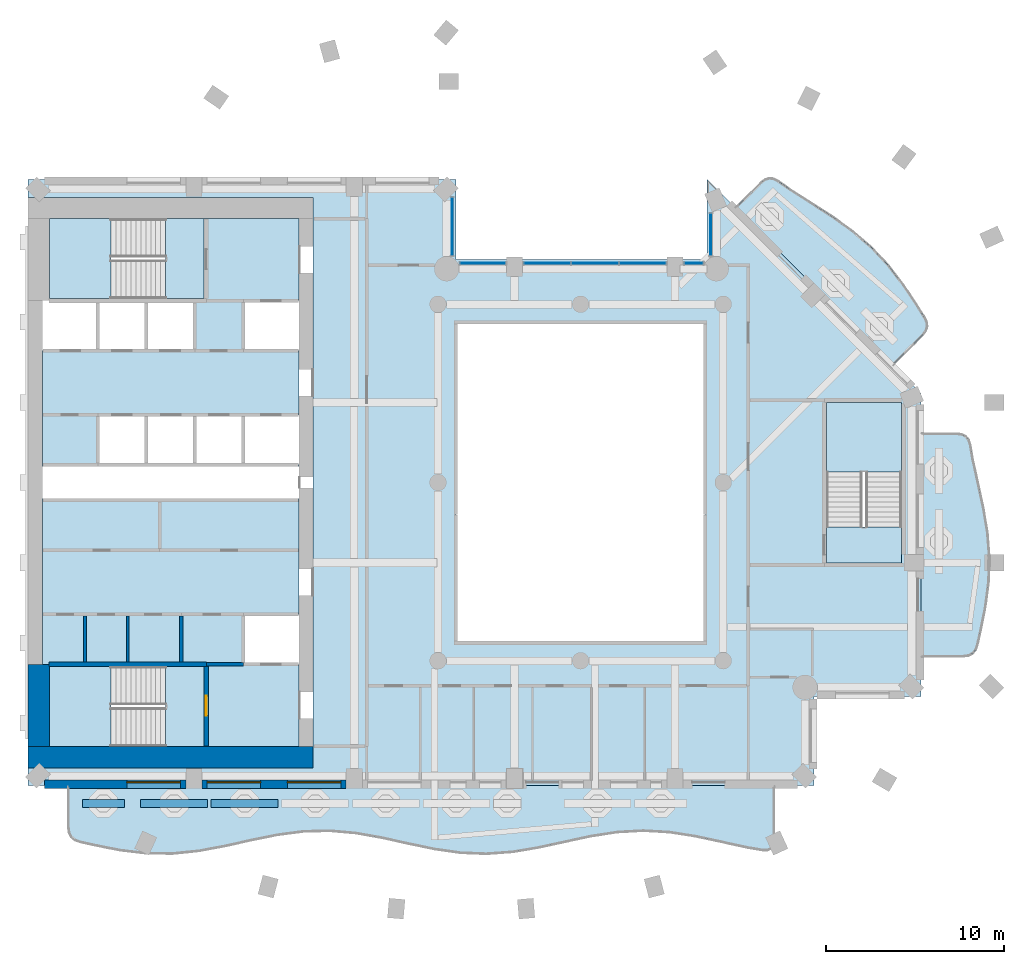
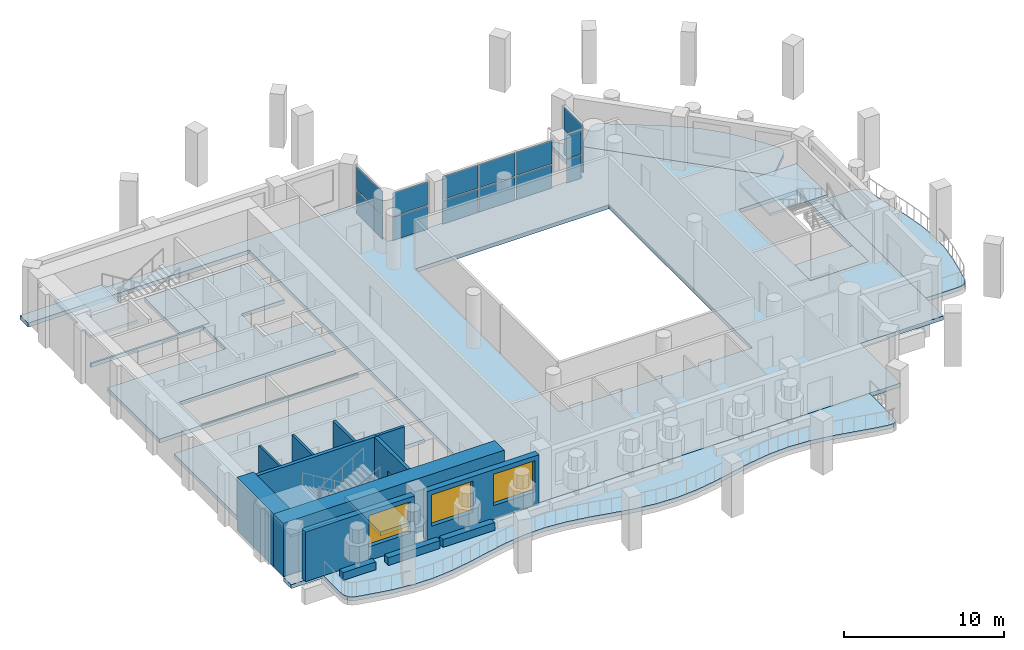
# One storey, part 3 of 15: 14 plates, 13 walls, 12 slabs, 3 windows, 1 door, 4 openings, 8 elements without a shape of their own.
"""IFC4 building model written with IfcOpenShell, lengths in metres."""

import ifcopenshell
import ifcopenshell.guid

model = None  # the IFC model being written
_history = None  # IfcOwnerHistory: only IFC2X3 demands one
_inside = {}  # id of a spatial element -> (the spatial element, [elements in it])
_under = {}  # id of a project, library or spatial element -> (it, [spatial elements below it])
_declared = {}  # id of a project -> (the project, [libraries it declares])
_typed = {}  # id of a type object -> (the type object, [elements of that type])
_made_of = {}  # id of a material, layer set ... -> (it, [elements and type objects made of it])


def new_model(schema):
    """Start an empty IFC model of exactly this schema.

    Asked for "IFC4X3", IfcOpenShell would pick the latest addendum, in which some entities
    have other attributes; the version numbers below select the first issue.
    IFC2X3 requires an IfcOwnerHistory on every rooted entity: one is made here for all.
    """
    global model, _history
    if schema == "IFC4X3":
        model = ifcopenshell.file(schema_version=(4, 3, 0, 0))
    else:
        model = ifcopenshell.file(schema=schema)
    _inside.clear()
    _under.clear()
    _declared.clear()
    _typed.clear()
    _made_of.clear()
    _history = None
    if model.schema == "IFC2X3":
        org = make("IfcOrganization", Name="unknown")
        user = make(
            "IfcPersonAndOrganization",
            ThePerson=make("IfcPerson", FamilyName="unknown"),
            TheOrganization=org,
        )
        app = make(
            "IfcApplication",
            ApplicationDeveloper=org,
            Version="unknown",
            ApplicationFullName="unknown",
            ApplicationIdentifier="unknown",
        )
        _history = make(
            "IfcOwnerHistory",
            OwningUser=user,
            OwningApplication=app,
            ChangeAction="ADDED",
            CreationDate=0,
        )
    return model


def make(cls, **values):
    """One entity of the class cls with the attributes given. An attribute that is None is left unset."""
    return model.create_entity(
        cls, **{name: value for name, value in values.items() if value is not None}
    )


def rooted(cls, **values):
    """An entity with a GlobalId (a new one), such as an element, a storey or a relation."""
    return make(cls, GlobalId=ifcopenshell.guid.new(), OwnerHistory=_history, **values)


def si_unit(unit_type, name, prefix=None):
    """IfcSIUnit, for example si_unit("LENGTHUNIT", "METRE", prefix="MILLI")."""
    return make("IfcSIUnit", UnitType=unit_type, Prefix=prefix, Name=name)


def assignment(units):
    """IfcUnitAssignment: the units of a project."""
    return None if units is None else make("IfcUnitAssignment", Units=units)


def point(xyz):
    """IfcCartesianPoint."""
    return None if xyz is None else make("IfcCartesianPoint", Coordinates=xyz)


def direction(xyz):
    """IfcDirection."""
    return None if xyz is None else make("IfcDirection", DirectionRatios=xyz)


def frame(location, z_axis=None, x_axis=None):
    """IfcAxis2Placement3D, a coordinate frame: its origin and axes. An axis left out is left unset."""
    return make(
        "IfcAxis2Placement3D",
        Location=point(location),
        Axis=direction(z_axis),
        RefDirection=direction(x_axis),
    )


def frame_2d(location, x_axis=None):
    """IfcAxis2Placement2D, a coordinate frame in the plane: its origin and x axis."""
    return make(
        "IfcAxis2Placement2D", Location=point(location), RefDirection=direction(x_axis)
    )


def origin():
    """The frame at (0, 0, 0) with its axes left unset."""
    return frame((0.0, 0.0, 0.0))


def origin_2d():
    """The frame at (0, 0) in the plane with its x axis left unset."""
    return frame_2d((0.0, 0.0))


def place(relative_to, where):
    """IfcLocalPlacement: puts the frame where relative to a parent placement (None: the world)."""
    return make(
        "IfcLocalPlacement", PlacementRelTo=relative_to, RelativePlacement=where
    )


def context(
    kind, dimensions, precision=None, world=None, true_north=None, identifier=None
):
    """IfcGeometricRepresentationContext, for example the 3D "Model" context."""
    return make(
        "IfcGeometricRepresentationContext",
        ContextIdentifier=identifier,
        ContextType=kind,
        CoordinateSpaceDimension=dimensions,
        Precision=precision,
        WorldCoordinateSystem=world,
        TrueNorth=true_north,
    )


def subcontext(parent, identifier, kind, view, scale=None):
    """IfcGeometricRepresentationSubContext, for example "Body" below "Model"."""
    return make(
        "IfcGeometricRepresentationSubContext",
        ContextIdentifier=identifier,
        ContextType=kind,
        ParentContext=parent,
        TargetScale=scale,
        TargetView=view,
    )


def project(units=None, contexts=None):
    """IfcProject with its units and contexts."""
    return rooted(
        "IfcProject",
        Name="project",
        RepresentationContexts=contexts,
        UnitsInContext=assignment(units),
    )


def spatial(cls, under=None, at=None, **own):
    """A site, building, storey or space (cls), placed at a placement, below another one or the project."""
    s = rooted(cls, ObjectPlacement=at, **own)
    if under is not None:
        _under.setdefault(under.id(), (under, []))[1].append(s)
    return s


def polyline(points):
    """IfcPolyline through the points."""
    return make("IfcPolyline", Points=[point(p) for p in points])


def profile(cls, at=None, kind="AREA", **sizes):
    """A parametric profile (cls). Its sizes go by their IFC names, for example OverallWidth=200.0."""
    return make(cls, ProfileType=kind, Position=at, **sizes)


def rectangle(**sizes):
    """IfcRectangleProfileDef."""
    return profile("IfcRectangleProfileDef", **sizes)


def outline(outer, holes=None, kind="AREA"):
    """IfcArbitraryClosedProfileDef: a profile drawn as a closed curve; with holes, ...WithVoids."""
    if holes is None:
        return make("IfcArbitraryClosedProfileDef", ProfileType=kind, OuterCurve=outer)
    return make(
        "IfcArbitraryProfileDefWithVoids",
        ProfileType=kind,
        OuterCurve=outer,
        InnerCurves=holes,
    )


def extrude(swept, where, along, depth):
    """IfcExtrudedAreaSolid: the profile swept, set in the frame where, extruded along a direction by depth."""
    return make(
        "IfcExtrudedAreaSolid",
        SweptArea=swept,
        Position=where,
        ExtrudedDirection=direction(along),
        Depth=depth,
    )


def shape(context_of_items, identifier, shape_type, items):
    """IfcShapeRepresentation: the items that make up one representation, for example the "Body"."""
    return make(
        "IfcShapeRepresentation",
        ContextOfItems=context_of_items,
        RepresentationIdentifier=identifier,
        RepresentationType=shape_type,
        Items=items,
    )


def material(Name=None, Category=None):
    """IfcMaterial."""
    return make("IfcMaterial", Name=Name, Category=Category)


def layer(
    of_material, thickness, ventilated=None, Name=None, Category=None, Priority=None
):
    """IfcMaterialLayer: one layer of a wall or slab, of a material (None: an air gap)."""
    return make(
        "IfcMaterialLayer",
        Material=of_material,
        LayerThickness=thickness,
        IsVentilated=ventilated,
        Name=Name,
        Category=Category,
        Priority=Priority,
    )


def layer_set(layers, Name=None):
    """IfcMaterialLayerSet."""
    return make("IfcMaterialLayerSet", MaterialLayers=layers, LayerSetName=Name)


def made_of(thing, what):
    """Note that an element or type object is made of a material, layer set ...; save() writes the relation."""
    if what is not None:
        _made_of.setdefault(what.id(), (what, []))[1].append(thing)
    return thing


def type_object(cls, material=None, **own):
    """A type object (cls), such as IfcWallType, which elements share."""
    return made_of(rooted(cls, **own), material)


def element(
    cls,
    number,
    at=None,
    inside=None,
    cuts=None,
    type_object=None,
    material=None,
    context=None,
    identifier="Body",
    shape_type=None,
    held_by="IfcProductDefinitionShape",
    body=None,
    shapes=None,
    **own,
):
    """One element of the class cls, such as IfcWall. Its Tag is "e" and its number.

    at: its placement. inside: the storey or other place that contains it. cuts: it is an
    opening in that element (IfcRelVoidsElement). A single representation is given by context,
    identifier, shape_type and body (its items); several are given by shapes. held_by: the class
    of the entity that holds the representations. save() writes the other relations.
    """
    e = rooted(cls, Tag="e%d" % number, ObjectPlacement=at, **own)
    if body is not None:
        shapes = [shape(context, identifier, shape_type, body)]
    if shapes is not None:
        e.Representation = make(held_by, Representations=shapes)
    if inside is not None:
        _inside.setdefault(inside.id(), (inside, []))[1].append(e)
    if cuts is not None:
        rooted(
            "IfcRelVoidsElement", RelatingBuildingElement=cuts, RelatedOpeningElement=e
        )
    if type_object is not None:
        _typed.setdefault(type_object.id(), (type_object, []))[1].append(e)
    return made_of(e, material)


def fill(opening, filler):
    """IfcRelFillsElement: the door or window that sits in an opening."""
    return rooted(
        "IfcRelFillsElement",
        RelatingOpeningElement=opening,
        RelatedBuildingElement=filler,
    )


def aggregate(whole, parts):
    """IfcRelAggregates: a whole, such as a stair, and the parts it consists of."""
    return rooted("IfcRelAggregates", RelatingObject=whole, RelatedObjects=parts)


def save(model, path):
    """Write the relations noted so far, then the file.

    IfcRelAggregates (storeys below a building ...), IfcRelContainedInSpatialStructure (elements
    in a storey), IfcRelDefinesByType, IfcRelAssociatesMaterial and IfcRelDeclares: one each for
    every whole, place, type object, material and project.
    """
    for whole, parts in _under.values():
        aggregate(whole, parts)
    for where, things in _inside.values():
        rooted(
            "IfcRelContainedInSpatialStructure",
            RelatedElements=things,
            RelatingStructure=where,
        )
    for kind, things in _typed.values():
        rooted("IfcRelDefinesByType", RelatedObjects=things, RelatingType=kind)
    for what, things in _made_of.values():
        rooted("IfcRelAssociatesMaterial", RelatedObjects=things, RelatingMaterial=what)
    for by, libraries in _declared.values():
        rooted("IfcRelDeclares", RelatingContext=by, RelatedDefinitions=libraries)
    model.write(path)


model = new_model("IFC4")

# Units and contexts
model_context = context("Model", 3, precision=1e-05, world=origin(), true_north=direction((0.0, 1.0)))
body_context = subcontext(model_context, "Body", "Model", "MODEL_VIEW")
ifc_project = project(units=[si_unit("LENGTHUNIT", "METRE"), si_unit("AREAUNIT", "SQUARE_METRE"), si_unit("VOLUMEUNIT", "CUBIC_METRE"), si_unit("PLANEANGLEUNIT", "RADIAN"), si_unit("MASSUNIT", "GRAM", prefix="KILO")], contexts=[model_context])

# Site, building, storey
site_placement = place(None, origin())
site = spatial("IfcSite", under=ifc_project, at=site_placement, CompositionType="ELEMENT")
building_placement = place(site_placement, origin())
building = spatial("IfcBuilding", under=site, at=building_placement, Name="Cypress Arch Tower", CompositionType="ELEMENT")
storey_placement = place(building_placement, frame((0.0, 0.0, 164.60009765625)))
storey = spatial("IfcBuildingStorey", under=building, at=storey_placement, Name="L35", CompositionType="ELEMENT", Elevation=164.60009765625)

# Slabs
ifc_material_1 = material(Name="Concrete C40/50", Category="concrete")
ifc_layer_1 = layer(ifc_material_1, 0.300048828125)
ifc_layer_set_1 = layer_set([ifc_layer_1], Name="Balcony slab BS300")
slab_type_1 = type_object("IfcSlabType", Name="Balcony slab BS300", PredefinedType="USERDEFINED", material=ifc_layer_set_1)
slab_1_placement = place(storey_placement, frame((0.0, 0.0, -0.300048828125)))
element("IfcSlab", 1, at=slab_1_placement, inside=storey, type_object=slab_type_1, Name="Balcony slab L35-B01", ObjectType="BALCONY SLAB", PredefinedType="USERDEFINED", context=body_context, shape_type="SweptSolid", body=[
    extrude(outline(polyline([(-27.75, -17.0), (-27.75, -19.34033203125), (-27.708740234375, -19.6455078125), (-27.5849609375, -19.884765625), (-27.378662109375, -20.057861328125), (-27.090087890625, -20.164794921875), (-26.283447265625, -20.345947265625), (-24.816650390625, -20.6337890625), (-23.35009765625, -20.806640625), (-21.88330078125, -20.820068359375), (-20.416748046875, -20.670654296875), (-18.949951171875, -20.396484375), (-17.4833984375, -20.068359375), (-16.0166015625, -19.77001953125), (-14.550048828125, -19.578125), (-13.083251953125, -19.541748046875), (-11.61669921875, -19.67041015625), (-10.14990234375, -19.930908203125), (-8.683349609375, -20.256591796875), (-7.216552734375, -20.56396484375), (-5.75, -20.774169921875), (-4.283447265625, -20.8330078125), (-2.816650390625, -20.72607421875), (-1.35009765625, -20.47998046875), (0.11669921875, -20.158447265625), (1.583251953125, -19.84375), (3.050048828125, -19.616455078125), (4.5166015625, -19.534912109375), (5.9833984375, -19.6201171875), (7.449951171875, -19.85009765625), (8.916748046875, -20.166015625), (10.38330078125, -20.48681640625), (11.18994140625, -20.62060546875), (11.478759765625, -20.626708984375), (11.68505859375, -20.535400390625), (11.808837890625, -20.346923828125), (11.85009765625, -20.06103515625), (11.85009765625, -17.0), (-27.75, -17.0)])), origin(), (0.0, 0.0, 1.0), 0.300048828125),
])
slab_2_placement = place(storey_placement, frame((0.0, 0.0, -0.300048828125)))
element("IfcSlab", 2, at=slab_2_placement, inside=storey, type_object=slab_type_1, Name="Balcony slab L35-B04", ObjectType="BALCONY SLAB", PredefinedType="USERDEFINED", context=body_context, shape_type="SweptSolid", body=[
    extrude(outline(polyline([(20.10009765625, -9.75), (22.47607421875, -9.75), (22.76513671875, -9.7109375), (22.99169921875, -9.59375), (23.15576171875, -9.3984375), (23.257080078125, -9.125), (23.4287109375, -8.361083984375), (23.70751953125, -6.97216796875), (23.88916015625, -5.583251953125), (23.931396484375, -4.1943359375), (23.824462890625, -2.8056640625), (23.593505859375, -1.416748046875), (23.291259765625, -0.02783203125), (22.987548828125, 1.361083984375), (22.8583984375, 2.125), (22.7724609375, 2.3984375), (22.62060546875, 2.59375), (22.402587890625, 2.7109375), (22.11865234375, 2.75), (20.10009765625, 2.75), (20.10009765625, -9.75)])), origin(), (0.0, 0.0, 1.0), 0.300048828125),
])
slab_3_placement = place(storey_placement, frame((0.0, 0.0, -0.300048828125)))
element("IfcSlab", 3, at=slab_3_placement, inside=storey, type_object=slab_type_1, Name="Balcony slab L35-B05", ObjectType="BALCONY SLAB", PredefinedType="USERDEFINED", context=body_context, shape_type="SweptSolid", body=[
    extrude(outline(polyline([(18.509033203125, 6.591064453125), (20.190185546875, 8.272216796875), (20.36669921875, 8.503662109375), (20.44384765625, 8.74609375), (20.421630859375, 8.99951171875), (20.30029296875, 9.26416015625), (19.882568359375, 9.924072265625), (19.099609375, 11.100830078125), (18.248291015625, 12.208984375), (17.29931640625, 13.219482421875), (16.2451171875, 14.125), (15.103271484375, 14.942626953125), (13.910888671875, 15.709716796875), (12.71630859375, 16.474853515625), (12.08544921875, 16.921630859375), (11.831787109375, 17.0537109375), (11.586669921875, 17.084228515625), (11.35009765625, 17.012939453125), (11.1220703125, 16.840087890625), (9.69091796875, 15.408935546875), (18.509033203125, 6.591064453125)])), origin(), (0.0, 0.0, 1.0), 0.300048828125),
])
ifc_material_2 = material(Name="Concrete C40/50", Category="concrete")
ifc_layer_2 = layer(ifc_material_2, 0.300048828125)
ifc_layer_set_2 = layer_set([ifc_layer_2], Name="Core floor CF300")
slab_type_2 = type_object("IfcSlabType", Name="Core floor CF300", PredefinedType="FLOOR", material=ifc_layer_set_2)
slab_4_placement = place(storey_placement, frame((0.0, 0.0, -0.300048828125)))
element("IfcSlab", 4, at=slab_4_placement, inside=storey, type_object=slab_type_2, Name="Core floor", PredefinedType="FLOOR", context=body_context, shape_type="SweptSolid", body=[
    extrude(outline(polyline([(-28.800048828125, -10.199951171875), (-29.199951171875, -10.199951171875), (-29.199951171875, -0.89990234375), (-15.199951171875, -0.89990234375), (-14.800048828125, -0.89990234375), (-14.800048828125, -7.39990234375), (-15.199951171875, -7.39990234375), (-17.919921875, -7.39990234375), (-17.919921875, -10.199951171875), (-15.199951171875, -10.199951171875), (-14.800048828125, -10.199951171875), (-14.800048828125, -14.800048828125), (-15.199951171875, -14.800048828125), (-20.125, -14.800048828125), (-20.125, -10.324951171875), (-22.27490234375, -10.324951171875), (-28.800048828125, -10.324951171875), (-28.800048828125, -10.199951171875)])), origin(), (0.0, 0.0, 1.0), 0.300048828125),
])
slab_5_placement = place(storey_placement, frame((0.0, 0.0, -0.300048828125)))
element("IfcSlab", 5, at=slab_5_placement, inside=storey, type_object=slab_type_2, Name="Core floor", PredefinedType="FLOOR", context=body_context, shape_type="SweptSolid", body=[
    extrude(outline(polyline([(-22.27490234375, -10.324951171875), (-22.27490234375, -14.800048828125), (-20.125, -14.800048828125), (-20.125, -10.324951171875), (-22.27490234375, -10.324951171875)])), origin(), (0.0, 0.0, 1.0), 0.300048828125),
])
slab_6_placement = place(storey_placement, frame((0.0, 0.0, -0.300048828125)))
element("IfcSlab", 6, at=slab_6_placement, inside=storey, type_object=slab_type_2, Name="Core floor", PredefinedType="FLOOR", context=body_context, shape_type="SweptSolid", body=[
    extrude(outline(polyline([(-20.125, 14.800048828125), (-22.27490234375, 14.800048828125), (-22.27490234375, 10.324951171875), (-20.125, 10.324951171875), (-20.125, 14.800048828125)])), origin(), (0.0, 0.0, 1.0), 0.300048828125),
])
slab_7_placement = place(storey_placement, frame((0.0, 0.0, -0.300048828125)))
element("IfcSlab", 7, at=slab_7_placement, inside=storey, type_object=slab_type_2, Name="Stair floor landing", PredefinedType="FLOOR", context=body_context, shape_type="SweptSolid", body=[
    extrude(outline(polyline([(19.0, -4.5), (19.0, -2.5), (14.800048828125, -2.5), (14.800048828125, -4.5), (19.0, -4.5)])), origin(), (0.0, 0.0, 1.0), 0.300048828125),
])
slab_8_placement = place(storey_placement, frame((0.0, 0.0, -0.300048828125)))
element("IfcSlab", 8, at=slab_8_placement, inside=storey, type_object=slab_type_2, Name="Core floor", PredefinedType="FLOOR", context=body_context, shape_type="SweptSolid", body=[
    extrude(outline(polyline([(-20.639892578125, 7.39990234375), (-20.639892578125, 10.199951171875), (-23.360107421875, 10.199951171875), (-26.080078125, 10.199951171875), (-28.800048828125, 10.199951171875), (-28.800048828125, 10.324951171875), (-22.27490234375, 10.324951171875), (-20.125, 10.324951171875), (-20.125, 14.800048828125), (-15.199951171875, 14.800048828125), (-14.800048828125, 14.800048828125), (-14.800048828125, 10.199951171875), (-15.199951171875, 10.199951171875), (-17.919921875, 10.199951171875), (-17.919921875, 7.39990234375), (-15.199951171875, 7.39990234375), (-14.800048828125, 7.39990234375), (-14.800048828125, 3.800048828125), (-15.199951171875, 3.800048828125), (-17.919921875, 3.800048828125), (-20.639892578125, 3.800048828125), (-23.360107421875, 3.800048828125), (-26.080078125, 3.800048828125), (-26.080078125, 1.5), (-26.080078125, 1.5), (-26.080078125, 1.0), (-25.679931640625, 1.0), (-23.360107421875, 1.0), (-20.639892578125, 1.0), (-17.919921875, 1.0), (-15.199951171875, 1.0), (-14.800048828125, 1.0), (-14.800048828125, 0.89990234375), (-15.199951171875, 0.89990234375), (-25.679931640625, 0.89990234375), (-26.47998046875, 0.89990234375), (-29.199951171875, 0.89990234375), (-29.199951171875, 1.5), (-29.199951171875, 7.39990234375), (-26.080078125, 7.39990234375), (-23.360107421875, 7.39990234375), (-20.639892578125, 7.39990234375)])), origin(), (0.0, 0.0, 1.0), 0.300048828125),
])

# Curtain wall, plates
ifc_material_3 = material(Name="Anodised aluminium, bronze finish, clear laminated double glazing", Category="aluminium")
curtain_wall_type = type_object("IfcCurtainWallType", Name="Curtain wall CW7 slot glazing", PredefinedType="NOTDEFINED", material=ifc_material_3)
curtain_wall_1_placement = place(storey_placement, origin())
curtain_wall_1 = element("IfcCurtainWall", 9, at=curtain_wall_1_placement, inside=storey, type_object=curtain_wall_type, Name="Curtain wall L35 slot B06.0", PredefinedType="NOTDEFINED")
ifc_material_4 = material(Name="Clear laminated double glazing", Category="glass")
ifc_layer_3 = layer(ifc_material_4, 0.0439453125)
ifc_layer_set_3 = layer_set([ifc_layer_3], Name="Glass panel CW7 44")
plate_type = type_object("IfcPlateType", Name="Glass panel CW7 44", PredefinedType="CURTAIN_PANEL", material=ifc_layer_set_3)
plate_1_placement = place(storey_placement, frame((8.300048828125, 13.912353515625, 0.0849609375), z_axis=(0.0, 0.0, 1.0), x_axis=(0.0, -1.0, 0.0)))
plate_1 = element("IfcPlate", 10, at=plate_1_placement, type_object=plate_type, Name="CW7 panel 1.1", PredefinedType="CURTAIN_PANEL", context=body_context, shape_type="SweptSolid", body=[
    extrude(rectangle(XDim=2.345458984375, YDim=0.0439453125, at=origin_2d()), origin(), (0.0, 0.0, 1.0), 1.7724609375),
])
plate_2_placement = place(storey_placement, frame((8.300048828125, 13.912353515625, 1.9423828125), z_axis=(0.0, 0.0, 1.0), x_axis=(0.0, -1.0, 0.0)))
plate_2 = element("IfcPlate", 11, at=plate_2_placement, type_object=plate_type, Name="CW7 panel 1.2", PredefinedType="CURTAIN_PANEL", context=body_context, shape_type="SweptSolid", body=[
    extrude(rectangle(XDim=2.345458984375, YDim=0.0439453125, at=origin_2d()), origin(), (0.0, 0.0, 1.0), 1.7724609375),
])
aggregate(curtain_wall_1, [plate_1, plate_2])

curtain_wall_2_placement = place(storey_placement, origin())
curtain_wall_2 = element("IfcCurtainWall", 12, at=curtain_wall_2_placement, inside=storey, type_object=curtain_wall_type, Name="Curtain wall L35 slot B07.0", PredefinedType="NOTDEFINED")
plate_3_placement = place(storey_placement, frame((7.34765625, 12.300048828125, 0.0849609375), z_axis=(0.0, 0.0, 1.0), x_axis=(-1.0, 0.0, 0.0)))
plate_3 = element("IfcPlate", 13, at=plate_3_placement, type_object=plate_type, Name="CW7 panel 1.1", PredefinedType="CURTAIN_PANEL", context=body_context, shape_type="SweptSolid", body=[
    extrude(rectangle(XDim=1.025390625, YDim=0.0439453125, at=origin_2d()), origin(), (0.0, 0.0, 1.0), 1.7724609375),
])
plate_4_placement = place(storey_placement, frame((7.34765625, 12.300048828125, 1.9423828125), z_axis=(0.0, 0.0, 1.0), x_axis=(-1.0, 0.0, 0.0)))
plate_4 = element("IfcPlate", 14, at=plate_4_placement, type_object=plate_type, Name="CW7 panel 1.2", PredefinedType="CURTAIN_PANEL", context=body_context, shape_type="SweptSolid", body=[
    extrude(rectangle(XDim=1.025390625, YDim=0.0439453125, at=origin_2d()), origin(), (0.0, 0.0, 1.0), 1.7724609375),
])
aggregate(curtain_wall_2, [plate_3, plate_4])

curtain_wall_3_placement = place(storey_placement, origin())
curtain_wall_3 = element("IfcCurtainWall", 15, at=curtain_wall_3_placement, inside=storey, type_object=curtain_wall_type, Name="Curtain wall L35 slot B07.1", PredefinedType="NOTDEFINED")
plate_5_placement = place(storey_placement, frame((4.478759765625, 12.300048828125, 0.0849609375), z_axis=(0.0, 0.0, 1.0), x_axis=(-1.0, 0.0, 0.0)))
plate_5 = element("IfcPlate", 16, at=plate_5_placement, type_object=plate_type, Name="CW7 panel 1.1", PredefinedType="CURTAIN_PANEL", context=body_context, shape_type="SweptSolid", body=[
    extrude(rectangle(XDim=2.572509765625, YDim=0.0439453125, at=origin_2d()), origin(), (0.0, 0.0, 1.0), 1.7724609375),
])
plate_6_placement = place(storey_placement, frame((4.478759765625, 12.300048828125, 1.9423828125), z_axis=(0.0, 0.0, 1.0), x_axis=(-1.0, 0.0, 0.0)))
plate_6 = element("IfcPlate", 17, at=plate_6_placement, type_object=plate_type, Name="CW7 panel 1.2", PredefinedType="CURTAIN_PANEL", context=body_context, shape_type="SweptSolid", body=[
    extrude(rectangle(XDim=2.572509765625, YDim=0.0439453125, at=origin_2d()), origin(), (0.0, 0.0, 1.0), 1.7724609375),
])
plate_7_placement = place(storey_placement, frame((1.800048828125, 12.300048828125, 0.0849609375), z_axis=(0.0, 0.0, 1.0), x_axis=(-1.0, 0.0, 0.0)))
plate_7 = element("IfcPlate", 18, at=plate_7_placement, type_object=plate_type, Name="CW7 panel 2.1", PredefinedType="CURTAIN_PANEL", context=body_context, shape_type="SweptSolid", body=[
    extrude(rectangle(XDim=2.614990234375, YDim=0.0439453125, at=origin_2d()), origin(), (0.0, 0.0, 1.0), 1.7724609375),
])
plate_8_placement = place(storey_placement, frame((1.800048828125, 12.300048828125, 1.9423828125), z_axis=(0.0, 0.0, 1.0), x_axis=(-1.0, 0.0, 0.0)))
plate_8 = element("IfcPlate", 19, at=plate_8_placement, type_object=plate_type, Name="CW7 panel 2.2", PredefinedType="CURTAIN_PANEL", context=body_context, shape_type="SweptSolid", body=[
    extrude(rectangle(XDim=2.614990234375, YDim=0.0439453125, at=origin_2d()), origin(), (0.0, 0.0, 1.0), 1.7724609375),
])
plate_9_placement = place(storey_placement, frame((-0.878662109375, 12.300048828125, 0.0849609375), z_axis=(0.0, 0.0, 1.0), x_axis=(-1.0, 0.0, 0.0)))
plate_9 = element("IfcPlate", 20, at=plate_9_placement, type_object=plate_type, Name="CW7 panel 3.1", PredefinedType="CURTAIN_PANEL", context=body_context, shape_type="SweptSolid", body=[
    extrude(rectangle(XDim=2.572509765625, YDim=0.0439453125, at=origin_2d()), origin(), (0.0, 0.0, 1.0), 1.7724609375),
])
plate_10_placement = place(storey_placement, frame((-0.878662109375, 12.300048828125, 1.9423828125), z_axis=(0.0, 0.0, 1.0), x_axis=(-1.0, 0.0, 0.0)))
plate_10 = element("IfcPlate", 21, at=plate_10_placement, type_object=plate_type, Name="CW7 panel 3.2", PredefinedType="CURTAIN_PANEL", context=body_context, shape_type="SweptSolid", body=[
    extrude(rectangle(XDim=2.572509765625, YDim=0.0439453125, at=origin_2d()), origin(), (0.0, 0.0, 1.0), 1.7724609375),
])
aggregate(curtain_wall_3, [plate_5, plate_6, plate_7, plate_8, plate_9, plate_10])

curtain_wall_4_placement = place(storey_placement, origin())
curtain_wall_4 = element("IfcCurtainWall", 22, at=curtain_wall_4_placement, inside=storey, type_object=curtain_wall_type, Name="Curtain wall L35 slot B07.2", PredefinedType="NOTDEFINED")
plate_11_placement = place(storey_placement, frame((-4.497802734375, 12.300048828125, 0.0849609375), z_axis=(0.0, 0.0, 1.0), x_axis=(-1.0, 0.0, 0.0)))
plate_11 = element("IfcPlate", 23, at=plate_11_placement, type_object=plate_type, Name="CW7 panel 1.1", PredefinedType="CURTAIN_PANEL", context=body_context, shape_type="SweptSolid", body=[
    extrude(rectangle(XDim=2.525390625, YDim=0.0439453125, at=origin_2d()), origin(), (0.0, 0.0, 1.0), 1.7724609375),
])
plate_12_placement = place(storey_placement, frame((-4.497802734375, 12.300048828125, 1.9423828125), z_axis=(0.0, 0.0, 1.0), x_axis=(-1.0, 0.0, 0.0)))
plate_12 = element("IfcPlate", 24, at=plate_12_placement, type_object=plate_type, Name="CW7 panel 1.2", PredefinedType="CURTAIN_PANEL", context=body_context, shape_type="SweptSolid", body=[
    extrude(rectangle(XDim=2.525390625, YDim=0.0439453125, at=origin_2d()), origin(), (0.0, 0.0, 1.0), 1.7724609375),
])
aggregate(curtain_wall_4, [plate_11, plate_12])

curtain_wall_5_placement = place(storey_placement, origin())
curtain_wall_5 = element("IfcCurtainWall", 25, at=curtain_wall_5_placement, inside=storey, type_object=curtain_wall_type, Name="Curtain wall L35 slot B08.0", PredefinedType="NOTDEFINED")
plate_13_placement = place(storey_placement, frame((-6.199951171875, 14.359130859375, 0.0849609375), z_axis=(0.0, 0.0, 1.0), x_axis=(0.0, 1.0, 0.0)))
plate_13 = element("IfcPlate", 26, at=plate_13_placement, type_object=plate_type, Name="CW7 panel 1.1", PredefinedType="CURTAIN_PANEL", context=body_context, shape_type="SweptSolid", body=[
    extrude(rectangle(XDim=3.239013671875, YDim=0.0439453125, at=origin_2d()), origin(), (0.0, 0.0, 1.0), 1.7724609375),
])
plate_14_placement = place(storey_placement, frame((-6.199951171875, 14.359130859375, 1.9423828125), z_axis=(0.0, 0.0, 1.0), x_axis=(0.0, 1.0, 0.0)))
plate_14 = element("IfcPlate", 27, at=plate_14_placement, type_object=plate_type, Name="CW7 panel 1.2", PredefinedType="CURTAIN_PANEL", context=body_context, shape_type="SweptSolid", body=[
    extrude(rectangle(XDim=3.239013671875, YDim=0.0439453125, at=origin_2d()), origin(), (0.0, 0.0, 1.0), 1.7724609375),
])
aggregate(curtain_wall_5, [plate_13, plate_14])

# Slab
ifc_material_5 = material(Name="Concrete C40/50", Category="concrete")
ifc_layer_4 = layer(ifc_material_5, 0.300048828125)
ifc_layer_set_4 = layer_set([ifc_layer_4], Name="PT flat slab 300 Concrete C40/50")
slab_type_3 = type_object("IfcSlabType", Name="PT flat slab 300 Concrete C40/50", PredefinedType="FLOOR", material=ifc_layer_set_4)
slab_9_placement = place(storey_placement, frame((0.0, 0.0, -0.300048828125)))
element("IfcSlab", 28, at=slab_9_placement, inside=storey, type_object=slab_type_3, Name="Floor slab L35", PredefinedType="FLOOR", context=body_context, shape_type="SweptSolid", body=[
    extrude(outline(polyline([(-30.0, 17.0), (-6.0, 17.0), (-6.0, 12.5), (8.10009765625, 12.5), (8.10009765625, 17.0), (20.10009765625, 5.0), (20.10009765625, -12.0), (14.10009765625, -12.0), (14.10009765625, -17.0), (-30.0, -17.0), (-30.0, -16.0), (-14.0, -16.0), (-14.0, 16.0), (-30.0, 16.0), (-30.0, 17.0)]), holes=[polyline([(-6.0, -9.0), (8.0, -9.0), (8.0, 9.0), (-6.0, 9.0), (-6.0, -9.0)]), polyline([(14.800048828125, -4.5), (19.0, -4.5), (19.0, 4.5), (14.800048828125, 4.5), (14.800048828125, -4.5)])]), origin(), (0.0, 0.0, 1.0), 0.300048828125),
])

# Stair, slab
ifc_material_6 = material(Name="Concrete C40/50", Category="concrete")
stair_type_1 = type_object("IfcStairType", Name="Exit stair ES1708-215", PredefinedType="HALF_TURN_STAIR", material=ifc_material_6)
stair_1_placement = place(storey_placement, origin())
stair_1 = element("IfcStair", 29, at=stair_1_placement, inside=storey, type_object=stair_type_1, Name="L35 Exit stair A", PredefinedType="HALF_TURN_STAIR")
ifc_material_7 = material(Name="Concrete C40/50", Category="concrete")
ifc_layer_5 = layer(ifc_material_7, 0.199951171875)
ifc_layer_set_5 = layer_set([ifc_layer_5], Name="Stair landing SL200")
slab_type_4 = type_object("IfcSlabType", Name="Stair landing SL200", PredefinedType="LANDING", material=ifc_layer_set_5)
slab_10_placement = place(storey_placement, frame((0.0, 0.0, 1.849853515625)))
slab_10 = element("IfcSlab", 30, at=slab_10_placement, type_object=slab_type_4, Name="A landing 1", PredefinedType="LANDING", context=body_context, shape_type="SweptSolid", body=[
    extrude(outline(polyline([(-25.35498046875, -10.324951171875), (-28.800048828125, -10.324951171875), (-28.800048828125, -14.800048828125), (-25.35498046875, -14.800048828125), (-25.35498046875, -10.324951171875)])), origin(), (0.0, 0.0, 1.0), 0.199951171875),
])
aggregate(stair_1, [slab_10])

stair_2_placement = place(storey_placement, origin())
stair_2 = element("IfcStair", 31, at=stair_2_placement, inside=storey, type_object=stair_type_1, Name="L35 Exit stair B", PredefinedType="HALF_TURN_STAIR")
slab_11_placement = place(storey_placement, frame((0.0, 0.0, 1.849853515625)))
slab_11 = element("IfcSlab", 32, at=slab_11_placement, type_object=slab_type_4, Name="B landing 1", PredefinedType="LANDING", context=body_context, shape_type="SweptSolid", body=[
    extrude(outline(polyline([(-25.35498046875, 14.800048828125), (-28.800048828125, 14.800048828125), (-28.800048828125, 10.324951171875), (-25.35498046875, 10.324951171875), (-25.35498046875, 14.800048828125)])), origin(), (0.0, 0.0, 1.0), 0.199951171875),
])
aggregate(stair_2, [slab_11])

ifc_material_8 = material(Name="Concrete C40/50", Category="concrete")
stair_type_2 = type_object("IfcStairType", Name="Exit stair ES1708-200", PredefinedType="HALF_TURN_STAIR", material=ifc_material_8)
stair_3_placement = place(storey_placement, origin())
stair_3 = element("IfcStair", 33, at=stair_3_placement, inside=storey, type_object=stair_type_2, Name="L35 Exit stair C", PredefinedType="HALF_TURN_STAIR")
slab_12_placement = place(storey_placement, frame((0.0, 0.0, 1.849853515625)))
slab_12 = element("IfcSlab", 34, at=slab_12_placement, type_object=slab_type_4, Name="C landing 1", PredefinedType="LANDING", context=body_context, shape_type="SweptSolid", body=[
    extrude(outline(polyline([(19.0, 0.580078125), (19.0, 4.5), (14.800048828125, 4.5), (14.800048828125, 0.580078125), (19.0, 0.580078125)])), origin(), (0.0, 0.0, 1.0), 0.199951171875),
])
aggregate(stair_3, [slab_12])

# Walls
ifc_material_9 = material(Name="Concrete C40/50, waterproofed", Category="concrete")
ifc_layer_6 = layer(ifc_material_9, 0.449951171875)
ifc_layer_set_6 = layer_set([ifc_layer_6], Name="Balcony planter wall PW450")
wall_type_1 = type_object("IfcWallType", Name="Balcony planter wall PW450", PredefinedType="SOLIDWALL", material=ifc_layer_set_6)
wall_1_placement = place(storey_placement, frame((-26.949951171875, -18.0, 0.0), z_axis=(0.0, 0.0, 1.0), x_axis=(1.0, 0.0, 0.0)))
element("IfcWall", 35, at=wall_1_placement, inside=storey, type_object=wall_type_1, Name="Balcony planter wall L35-B01.1", PredefinedType="SOLIDWALL", context=body_context, shape_type="SweptSolid", body=[
    extrude(rectangle(XDim=2.35986328125, YDim=0.449951171875, at=frame_2d((1.179931640625, 0.0))), origin(), (0.0, 0.0, 1.0), 0.599853515625),
])
for number, where, z_axis, x_axis, name in (
    (36, (-23.68994140625, -18.0, 0.0), (0.0, 0.0, 1.0), (1.0, 0.0, 0.0), "Balcony planter wall L35-B01.2"),
    (37, (-19.72998046875, -18.0, 0.0), (0.0, 0.0, 1.0), (1.0, 0.0, 0.0), "Balcony planter wall L35-B01.3"),
):
    element("IfcWall", number, at=place(storey_placement, frame(where, z_axis=z_axis, x_axis=x_axis)), inside=storey, type_object=wall_type_1, Name=name, PredefinedType="SOLIDWALL", context=body_context, shape_type="SweptSolid", body=[
        extrude(rectangle(XDim=3.760009765625, YDim=0.449951171875, at=frame_2d((1.8798828125, 0.0))), origin(), (0.0, 0.0, 1.0), 0.599853515625),
    ])

# Wall, opening, window
ifc_material_10 = material(Name="Brick (red buff blend)", Category="masonry")
ifc_layer_7 = layer(ifc_material_10, 0.449951171875)
ifc_layer_set_7 = layer_set([ifc_layer_7], Name="Brick pier and spandrel wall BW450")
wall_type_2 = type_object("IfcWallType", Name="Brick pier and spandrel wall BW450", PredefinedType="SOLIDWALL", material=ifc_layer_set_7)
wall_2_placement = place(storey_placement, frame((-29.063720703125, -16.925048828125, 0.0), z_axis=(0.0, 0.0, 1.0), x_axis=(1.0, 0.0, 0.0)))
wall_2 = element("IfcWall", 38, at=wall_2_placement, inside=storey, type_object=wall_type_2, Name="Brick wall L35 B01.0", PredefinedType="SOLIDWALL", context=body_context, shape_type="SweptSolid", body=[
    extrude(rectangle(XDim=7.913818359375, YDim=0.449951171875, at=frame_2d((3.95703125, 0.0))), origin(), (0.0, 0.0, 1.0), 3.7998046875),
])
opening_1_placement = place(wall_2_placement, frame((4.613525390625, 0.0, 1.050048828125)))
opening_1 = element("IfcOpeningElement", 39, at=opening_1_placement, cuts=wall_2, Name="Opening W300OD", PredefinedType="OPENING", context=body_context, shape_type="SweptSolid", body=[
    extrude(rectangle(XDim=3.0, YDim=2.39990234375, at=frame_2d((1.5, 1.199951171875))), frame((0.0, 0.23486328125, 0.0), z_axis=(0.0, -1.0, 0.0), x_axis=(1.0, 0.0, 0.0)), (0.0, 0.0, 1.0), 0.469970703125),
])
ifc_material_11 = material(Name="Anodised aluminium, bronze finish, laminated low-emissivity double glazing, large-missile impact rated", Category="aluminium")
window_type = type_object("IfcWindowType", Name="Window Office 3000x2400 debris-rated", PartitioningType="SINGLE_PANEL", PredefinedType="WINDOW", material=ifc_material_11)
window_1_placement = place(opening_1_placement, origin())
window_1 = element("IfcWindow", 40, at=window_1_placement, inside=storey, type_object=window_type, Name="Window L35 B01.0.2", OverallHeight=2.39990234375, OverallWidth=3.0, PartitioningType="SINGLE_PANEL", PredefinedType="WINDOW", context=body_context, shape_type="SweptSolid", body=[
    extrude(rectangle(XDim=3.0, YDim=2.39990234375, at=frame_2d((1.5, 1.199951171875))), frame((0.0, 0.135009765625, 0.0), z_axis=(0.0, -1.0, 0.0), x_axis=(1.0, 0.0, 0.0)), (0.0, 0.0, 1.0), 0.06005859375),
])
fill(opening_1, window_1)

# Wall, openings, windows
wall_3_placement = place(storey_placement, frame((-20.25, -16.925048828125, 0.0), z_axis=(0.0, 0.0, 1.0), x_axis=(1.0, 0.0, 0.0)))
wall_3 = element("IfcWall", 41, at=wall_3_placement, inside=storey, type_object=wall_type_2, Name="Brick wall L35 B01.1", PredefinedType="SOLIDWALL", context=body_context, shape_type="SweptSolid", body=[
    extrude(rectangle(XDim=8.10009765625, YDim=0.449951171875, at=frame_2d((4.050048828125, 0.0))), origin(), (0.0, 0.0, 1.0), 3.7998046875),
])
opening_2_placement = place(wall_3_placement, frame((0.300048828125, 0.0, 1.050048828125)))
opening_2 = element("IfcOpeningElement", 42, at=opening_2_placement, cuts=wall_3, Name="Opening W300OD", PredefinedType="OPENING", context=body_context, shape_type="SweptSolid", body=[
    extrude(rectangle(XDim=3.0, YDim=2.39990234375, at=frame_2d((1.5, 1.199951171875))), frame((0.0, 0.23486328125, 0.0), z_axis=(0.0, -1.0, 0.0), x_axis=(1.0, 0.0, 0.0)), (0.0, 0.0, 1.0), 0.469970703125),
])
opening_3_placement = place(wall_3_placement, frame((4.800048828125, 0.0, 1.050048828125)))
opening_3 = element("IfcOpeningElement", 43, at=opening_3_placement, cuts=wall_3, Name="Opening W300OD", PredefinedType="OPENING", context=body_context, shape_type="SweptSolid", body=[
    extrude(rectangle(XDim=3.0, YDim=2.39990234375, at=frame_2d((1.5, 1.199951171875))), frame((0.0, 0.23486328125, 0.0), z_axis=(0.0, -1.0, 0.0), x_axis=(1.0, 0.0, 0.0)), (0.0, 0.0, 1.0), 0.469970703125),
])
window_2_placement = place(opening_2_placement, origin())
window_2 = element("IfcWindow", 44, at=window_2_placement, inside=storey, type_object=window_type, Name="Window L35 B01.1.1", OverallHeight=2.39990234375, OverallWidth=3.0, PartitioningType="SINGLE_PANEL", PredefinedType="WINDOW", context=body_context, shape_type="SweptSolid", body=[
    extrude(rectangle(XDim=3.0, YDim=2.39990234375, at=frame_2d((1.5, 1.199951171875))), frame((0.0, 0.135009765625, 0.0), z_axis=(0.0, -1.0, 0.0), x_axis=(1.0, 0.0, 0.0)), (0.0, 0.0, 1.0), 0.06005859375),
])
fill(opening_2, window_2)
window_3_placement = place(opening_3_placement, origin())
window_3 = element("IfcWindow", 45, at=window_3_placement, inside=storey, type_object=window_type, Name="Window L35 B01.1.2", OverallHeight=2.39990234375, OverallWidth=3.0, PartitioningType="SINGLE_PANEL", PredefinedType="WINDOW", context=body_context, shape_type="SweptSolid", body=[
    extrude(rectangle(XDim=3.0, YDim=2.39990234375, at=frame_2d((1.5, 1.199951171875))), frame((0.0, 0.135009765625, 0.0), z_axis=(0.0, -1.0, 0.0), x_axis=(1.0, 0.0, 0.0)), (0.0, 0.0, 1.0), 0.06005859375),
])
fill(opening_3, window_3)

# Walls
ifc_material_12 = material(Name="Concrete C70/85", Category="concrete")
ifc_layer_8 = layer(ifc_material_12, 1.199951171875)
ifc_layer_set_8 = layer_set([ifc_layer_8], Name="Core wall CW1200 C70/85")
wall_type_3 = type_object("IfcWallType", Name="Core wall CW1200 C70/85", PredefinedType="SHEAR", material=ifc_layer_set_8)
wall_4_placement = place(storey_placement, frame((-30.0, -15.39990234375, 0.0), z_axis=(0.0, 0.0, 1.0), x_axis=(1.0, 0.0, 0.0)))
element("IfcWall", 46, at=wall_4_placement, inside=storey, type_object=wall_type_3, Name="Core wall", PredefinedType="SHEAR", context=body_context, shape_type="SweptSolid", body=[
    extrude(rectangle(XDim=16.0, YDim=1.199951171875, at=frame_2d((8.0, 0.0))), origin(), (0.0, 0.0, 1.0), 4.099853515625),
])
wall_5_placement = place(storey_placement, frame((-29.39990234375, -14.800048828125, 0.0), z_axis=(0.0, 0.0, 1.0), x_axis=(0.0, 1.0, 0.0)))
element("IfcWall", 47, at=wall_5_placement, inside=storey, type_object=wall_type_3, Name="Core wall", PredefinedType="SHEAR", context=body_context, shape_type="SweptSolid", body=[
    extrude(rectangle(XDim=4.60009765625, YDim=1.199951171875, at=frame_2d((2.300048828125, 0.0))), origin(), (0.0, 0.0, 1.0), 4.099853515625),
])
ifc_material_13 = material(Name="Blockwork, plastered both sides", Category="masonry")
ifc_layer_9 = layer(ifc_material_13, 0.14990234375)
ifc_layer_set_9 = layer_set([ifc_layer_9], Name="Partition PW150")
wall_type_4 = type_object("IfcWallType", Name="Partition PW150", PredefinedType="PARTITIONING", material=ifc_layer_set_9)
for number, where, z_axis, x_axis, name in (
    (48, (-26.800048828125, -10.074951171875, 0.0), (0.0, 0.0, 1.0), (0.0, 1.0, 0.0), "Partition"),
    (49, (-24.39990234375, -10.074951171875, 0.0), (0.0, 0.0, 1.0), (0.0, 1.0, 0.0), "Partition"),
):
    element("IfcWall", number, at=place(storey_placement, frame(where, z_axis=z_axis, x_axis=x_axis)), inside=storey, type_object=wall_type_4, Name=name, PredefinedType="PARTITIONING", context=body_context, shape_type="SweptSolid", body=[
        extrude(rectangle(XDim=2.574951171875, YDim=0.14990234375, at=frame_2d((1.28759765625, 0.0))), origin(), (0.0, 0.0, 1.0), 3.7998046875),
    ])
ifc_material_14 = material(Name="Reinforced blockwork, plastered, rated", Category="masonry")
ifc_layer_10 = layer(ifc_material_14, 0.199951171875)
ifc_layer_set_10 = layer_set([ifc_layer_10], Name="Plant and riser wall PL200")
wall_type_5 = type_object("IfcWallType", Name="Plant and riser wall PL200", PredefinedType="PARTITIONING", material=ifc_layer_set_10)
wall_6_placement = place(storey_placement, frame((-21.39990234375, -10.074951171875, 0.0), z_axis=(0.0, 0.0, 1.0), x_axis=(0.0, 1.0, 0.0)))
element("IfcWall", 50, at=wall_6_placement, inside=storey, type_object=wall_type_5, Name="Plant and riser wall", PredefinedType="PARTITIONING", context=body_context, shape_type="SweptSolid", body=[
    extrude(rectangle(XDim=2.574951171875, YDim=0.199951171875, at=frame_2d((1.28759765625, 0.0))), origin(), (0.0, 0.0, 1.0), 3.7998046875),
])
wall_7_placement = place(storey_placement, frame((-20.0, -10.199951171875, 0.0), z_axis=(0.0, 0.0, 1.0), x_axis=(1.0, 0.0, 0.0)))
element("IfcWall", 51, at=wall_7_placement, inside=storey, type_object=wall_type_5, Name="Plant and riser wall", PredefinedType="PARTITIONING", context=body_context, shape_type="SweptSolid", body=[
    extrude(rectangle(XDim=2.080078125, YDim=0.199951171875, at=frame_2d((1.0400390625, 0.0))), origin(), (0.0, 0.0, 1.0), 3.7998046875),
])
ifc_material_15 = material(Name="Concrete C50/60", Category="concrete")
ifc_layer_11 = layer(ifc_material_15, 0.25)
ifc_layer_set_11 = layer_set([ifc_layer_11], Name="Stair enclosure wall SW250")
wall_type_6 = type_object("IfcWallType", Name="Stair enclosure wall SW250", PredefinedType="SHEAR", material=ifc_layer_set_11)
wall_8_placement = place(storey_placement, frame((-28.81005859375, -10.199951171875, 0.0), z_axis=(0.0, 0.0, 1.0), x_axis=(1.0, 0.0, 0.0)))
element("IfcWall", 52, at=wall_8_placement, inside=storey, type_object=wall_type_6, Name="Stair enclosure wall", PredefinedType="SHEAR", context=body_context, shape_type="SweptSolid", body=[
    extrude(rectangle(XDim=8.81005859375, YDim=0.25, at=frame_2d((4.405029296875, 0.0))), origin(), (0.0, 0.0, 1.0), 3.7998046875),
])

# Wall, opening, door
wall_9_placement = place(storey_placement, frame((-20.0, -14.77001953125, 0.0), z_axis=(0.0, 0.0, 1.0), x_axis=(0.0, 1.0, 0.0)))
wall_9 = element("IfcWall", 53, at=wall_9_placement, inside=storey, type_object=wall_type_6, Name="Stair enclosure wall", PredefinedType="SHEAR", context=body_context, shape_type="SweptSolid", body=[
    extrude(rectangle(XDim=4.445068359375, YDim=0.25, at=frame_2d((2.22265625, 0.0))), origin(), (0.0, 0.0, 1.0), 3.7998046875),
])
opening_4_placement = place(wall_9_placement, frame((1.699951171875, 0.0, 0.0)))
opening_4 = element("IfcOpeningElement", 54, at=opening_4_placement, cuts=wall_9, Name="Opening D06", PredefinedType="OPENING", context=body_context, shape_type="SweptSolid", body=[
    extrude(rectangle(XDim=1.10009765625, YDim=2.199951171875, at=frame_2d((0.550048828125, 1.10009765625))), frame((0.0, 0.135009765625, 0.0), z_axis=(0.0, -1.0, 0.0), x_axis=(1.0, 0.0, 0.0)), (0.0, 0.0, 1.0), 0.27001953125),
])
ifc_material_16 = material(Name="Steel door, fire resisting, panic bar", Category="steel")
door_type = type_object("IfcDoorType", Name="Stair door D06 1100x2200", OperationType="SINGLE_SWING_LEFT", PredefinedType="DOOR", material=ifc_material_16)
door_placement = place(opening_4_placement, origin())
door = element("IfcDoor", 55, at=door_placement, inside=storey, type_object=door_type, Name="Stair door", OperationType="SINGLE_SWING_RIGHT", OverallHeight=2.199951171875, OverallWidth=1.10009765625, PredefinedType="DOOR", context=body_context, shape_type="SweptSolid", body=[
    extrude(rectangle(XDim=1.10009765625, YDim=2.199951171875, at=frame_2d((0.550048828125, 1.10009765625))), frame((0.0, 0.02490234375, 0.0), z_axis=(0.0, -1.0, 0.0), x_axis=(1.0, 0.0, 0.0)), (0.0, 0.0, 1.0), 0.050048828125),
])
fill(opening_4, door)

save(model, "model.ifc")
